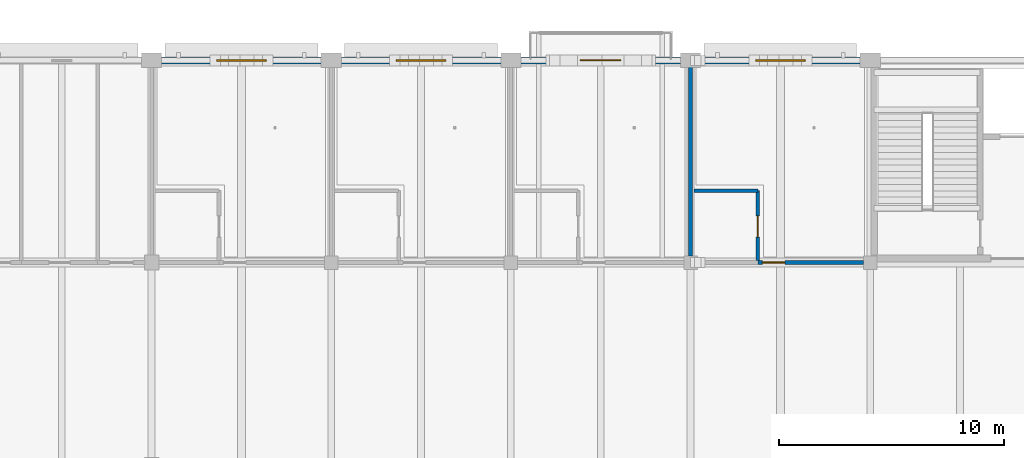
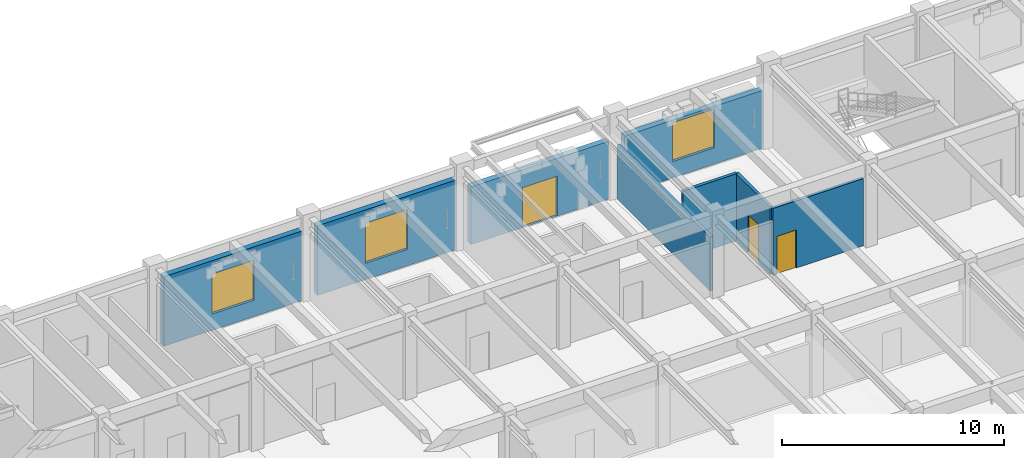
# One storey, part 111 of 144: 8 walls, 3 doors, 3 windows, 6 openings.
"""IFC4 building model written with IfcOpenShell, lengths in metres."""

from ifc_helpers import new_model, si_unit, direction, frame, frame_2d, origin, place, context, subcontext, project, spatial, rectangle, extrude, material, layer, layer_set, type_object, element, fill, save


model = new_model("IFC4")

# Units and contexts
model_context = context("Model", 3, precision=1e-05, world=origin(), true_north=direction((0.0, 1.0)))
body_context = subcontext(model_context, "Body", "Model", "MODEL_VIEW")
ifc_project = project(units=[si_unit("LENGTHUNIT", "METRE"), si_unit("AREAUNIT", "SQUARE_METRE"), si_unit("VOLUMEUNIT", "CUBIC_METRE"), si_unit("PLANEANGLEUNIT", "RADIAN"), si_unit("MASSUNIT", "GRAM", prefix="KILO")], contexts=[model_context])

# Site, building, storey
site_placement = place(None, origin())
site = spatial("IfcSite", under=ifc_project, at=site_placement, CompositionType="ELEMENT")
building_placement = place(site_placement, origin())
building = spatial("IfcBuilding", under=site, at=building_placement, Name="Varnabhumi Central Station", CompositionType="ELEMENT")
storey_placement = place(building_placement, frame((0.0, 0.0, 4.800048828125)))
storey = spatial("IfcBuildingStorey", under=building, at=storey_placement, Name="L01", CompositionType="ELEMENT", Elevation=4.800048828125)

# Wall, opening, window
ifc_material_1 = material(Name="Autoclaved aerated blockwork masonry", Category="masonry")
ifc_layer_1 = layer(ifc_material_1, 0.300048828125, Name="Autoclaved aerated blockwork masonry", Category="masonry")
ifc_layer_set_1 = layer_set([ifc_layer_1], Name="Autoclaved aerated blockwork masonry")
wall_type_1 = type_object("IfcWallType", Name="WAL-EXT-STUCCO-300", PredefinedType="SOLIDWALL", material=ifc_layer_set_1)
wall_1_placement = place(storey_placement, frame((96.39990234375, 116.0, 0.0), z_axis=(0.0, 0.0, 1.0), x_axis=(1.0, 0.0, 0.0)))
wall_1 = element("IfcWall", 1, at=wall_1_placement, inside=storey, type_object=wall_type_1, Name="North Boulevard Wall L01-13", PredefinedType="SOLIDWALL", context=body_context, shape_type="SweptSolid", body=[
    extrude(rectangle(XDim=7.2001953125, YDim=0.300048828125, at=frame_2d((3.60009765625, 0.0))), origin(), (0.0, 0.0, 1.0), 3.83984375),
])
opening_1_placement = place(wall_1_placement, frame((2.5, 0.0, 0.89990234375)))
opening_1 = element("IfcOpeningElement", 2, at=opening_1_placement, cuts=wall_1, Name="Opening W-03", PredefinedType="OPENING", context=body_context, shape_type="SweptSolid", body=[
    extrude(rectangle(XDim=2.199951171875, YDim=2.199951171875, at=frame_2d((1.10009765625, 1.10009765625))), frame((0.0, 0.159912109375, 0.0), z_axis=(0.0, -1.0, 0.0), x_axis=(1.0, 0.0, 0.0)), (0.0, 0.0, 1.0), 0.320068359375),
])
ifc_material_2 = material(Name="Laminated low-E double glazing", Category="glass")
window_type = type_object("IfcWindowType", Name="WIN-PIER-2200x2200", PartitioningType="DOUBLE_PANEL_VERTICAL", PredefinedType="WINDOW", material=ifc_material_2)
window_1_placement = place(opening_1_placement, origin())
window_1 = element("IfcWindow", 3, at=window_1_placement, inside=storey, type_object=window_type, Name="North Facade Window L01-13", OverallHeight=2.199951171875, OverallWidth=2.199951171875, PartitioningType="SINGLE_PANEL", PredefinedType="WINDOW", context=body_context, shape_type="SweptSolid", body=[
    extrude(rectangle(XDim=2.199951171875, YDim=2.199951171875, at=frame_2d((1.10009765625, 1.10009765625))), frame((0.0, 0.030029296875, 0.0), z_axis=(0.0, -1.0, 0.0), x_axis=(1.0, 0.0, 0.0)), (0.0, 0.0, 1.0), 0.06005859375),
])
fill(opening_1, window_1)

wall_2_placement = place(storey_placement, frame((104.39990234375, 116.0, 0.0), z_axis=(0.0, 0.0, 1.0), x_axis=(1.0, 0.0, 0.0)))
wall_2 = element("IfcWall", 4, at=wall_2_placement, inside=storey, type_object=wall_type_1, Name="North Boulevard Wall L01-14", PredefinedType="SOLIDWALL", context=body_context, shape_type="SweptSolid", body=[
    extrude(rectangle(XDim=7.2001953125, YDim=0.300048828125, at=frame_2d((3.60009765625, 0.0))), origin(), (0.0, 0.0, 1.0), 3.83984375),
])
opening_2_placement = place(wall_2_placement, frame((2.5, 0.0, 0.89990234375)))
opening_2 = element("IfcOpeningElement", 5, at=opening_2_placement, cuts=wall_2, Name="Opening W-03", PredefinedType="OPENING", context=body_context, shape_type="SweptSolid", body=[
    extrude(rectangle(XDim=2.199951171875, YDim=2.199951171875, at=frame_2d((1.10009765625, 1.10009765625))), frame((0.0, 0.159912109375, 0.0), z_axis=(0.0, -1.0, 0.0), x_axis=(1.0, 0.0, 0.0)), (0.0, 0.0, 1.0), 0.320068359375),
])
window_2_placement = place(opening_2_placement, origin())
window_2 = element("IfcWindow", 6, at=window_2_placement, inside=storey, type_object=window_type, Name="North Facade Window L01-14", OverallHeight=2.199951171875, OverallWidth=2.199951171875, PartitioningType="SINGLE_PANEL", PredefinedType="WINDOW", context=body_context, shape_type="SweptSolid", body=[
    extrude(rectangle(XDim=2.199951171875, YDim=2.199951171875, at=frame_2d((1.10009765625, 1.10009765625))), frame((0.0, 0.030029296875, 0.0), z_axis=(0.0, -1.0, 0.0), x_axis=(1.0, 0.0, 0.0)), (0.0, 0.0, 1.0), 0.06005859375),
])
fill(opening_2, window_2)

# Wall, opening, door
wall_3_placement = place(storey_placement, frame((112.39990234375, 116.0, 0.0), z_axis=(0.0, 0.0, 1.0), x_axis=(1.0, 0.0, 0.0)))
wall_3 = element("IfcWall", 7, at=wall_3_placement, inside=storey, type_object=wall_type_1, Name="North Boulevard Wall L01-15", PredefinedType="SOLIDWALL", context=body_context, shape_type="SweptSolid", body=[
    extrude(rectangle(XDim=7.2001953125, YDim=0.300048828125, at=frame_2d((3.60009765625, 0.0))), origin(), (0.0, 0.0, 1.0), 3.179931640625),
])
opening_3_placement = place(wall_3_placement, frame((2.699951171875, 0.0, 0.0)))
opening_3 = element("IfcOpeningElement", 8, at=opening_3_placement, cuts=wall_3, Name="Opening ED-4", PredefinedType="OPENING", context=body_context, shape_type="SweptSolid", body=[
    extrude(rectangle(XDim=1.800048828125, YDim=2.199951171875, at=frame_2d((0.89990234375, 1.10009765625))), frame((0.0, 0.159912109375, 0.0), z_axis=(0.0, -1.0, 0.0), x_axis=(1.0, 0.0, 0.0)), (0.0, 0.0, 1.0), 0.320068359375),
])
ifc_material_3 = material(Name="Anodised aluminium 6063-T6", Category="aluminium")
door_type_1 = type_object("IfcDoorType", Name="DR-EXT-AZOTEA-1800", OperationType="NOTDEFINED", PredefinedType="DOOR", material=ifc_material_3)
door_1_placement = place(opening_3_placement, origin())
door_1 = element("IfcDoor", 9, at=door_1_placement, inside=storey, type_object=door_type_1, Name="North Boulevard Balcony French Door L01-15", OperationType="DOUBLE_DOOR_SINGLE_SWING", OverallHeight=2.199951171875, OverallWidth=1.800048828125, PredefinedType="DOOR", context=body_context, shape_type="SweptSolid", body=[
    extrude(rectangle(XDim=1.800048828125, YDim=2.199951171875, at=frame_2d((0.89990234375, 1.10009765625))), frame((0.0, 0.02490234375, 0.0), z_axis=(0.0, -1.0, 0.0), x_axis=(1.0, 0.0, 0.0)), (0.0, 0.0, 1.0), 0.050048828125),
])
fill(opening_3, door_1)

# Wall, opening, window
wall_4_placement = place(storey_placement, frame((120.39990234375, 116.0, 0.0), z_axis=(0.0, 0.0, 1.0), x_axis=(1.0, 0.0, 0.0)))
wall_4 = element("IfcWall", 10, at=wall_4_placement, inside=storey, type_object=wall_type_1, Name="North Boulevard Wall L01-16", PredefinedType="SOLIDWALL", context=body_context, shape_type="SweptSolid", body=[
    extrude(rectangle(XDim=7.2001953125, YDim=0.300048828125, at=frame_2d((3.60009765625, 0.0))), origin(), (0.0, 0.0, 1.0), 3.179931640625),
])
opening_4_placement = place(wall_4_placement, frame((2.5, 0.0, 0.89990234375)))
opening_4 = element("IfcOpeningElement", 11, at=opening_4_placement, cuts=wall_4, Name="Opening W-03", PredefinedType="OPENING", context=body_context, shape_type="SweptSolid", body=[
    extrude(rectangle(XDim=2.199951171875, YDim=2.139892578125, at=frame_2d((1.10009765625, 1.06982421875))), frame((0.0, 0.159912109375, 0.0), z_axis=(0.0, -1.0, 0.0), x_axis=(1.0, 0.0, 0.0)), (0.0, 0.0, 1.0), 0.320068359375),
])
window_3_placement = place(opening_4_placement, origin())
window_3 = element("IfcWindow", 12, at=window_3_placement, inside=storey, type_object=window_type, Name="North Facade Window L01-16", OverallHeight=2.139892578125, OverallWidth=2.199951171875, PartitioningType="SINGLE_PANEL", PredefinedType="WINDOW", context=body_context, shape_type="SweptSolid", body=[
    extrude(rectangle(XDim=2.199951171875, YDim=2.139892578125, at=frame_2d((1.10009765625, 1.06982421875))), frame((0.0, 0.030029296875, 0.0), z_axis=(0.0, -1.0, 0.0), x_axis=(1.0, 0.0, 0.0)), (0.0, 0.0, 1.0), 0.06005859375),
])
fill(opening_4, window_3)

# Wall
ifc_layer_2 = layer(ifc_material_1, 0.159912109375, Name="Autoclaved aerated blockwork masonry", Category="masonry")
ifc_layer_set_2 = layer_set([ifc_layer_2], Name="Autoclaved aerated blockwork masonry")
wall_type_2 = type_object("IfcWallType", Name="WAL-PART-AAC-160", PredefinedType="PARTITIONING", material=ifc_layer_set_2)
wall_5_placement = place(storey_placement, frame((120.0, 107.300048828125, 0.0), z_axis=(0.0, 0.0, 1.0), x_axis=(0.0, 1.0, 0.0)))
element("IfcWall", 13, at=wall_5_placement, inside=storey, type_object=wall_type_2, Name="Passenger Retiring Room 103 W Partition 1", PredefinedType="PARTITIONING", context=body_context, shape_type="SweptSolid", body=[
    extrude(rectangle(XDim=8.39990234375, YDim=0.159912109375, at=frame_2d((4.199951171875, 0.0))), origin(), (0.0, 0.0, 1.0), 2.97998046875),
])

# Wall, opening, door
wall_6_placement = place(storey_placement, frame((123.0, 107.0, 0.0), z_axis=(0.0, 0.0, 1.0), x_axis=(1.0, 0.0, 0.0)))
wall_6 = element("IfcWall", 14, at=wall_6_placement, inside=storey, type_object=wall_type_2, Name="Passenger Retiring Room 104 Corridor Partition 1", PredefinedType="PARTITIONING", context=body_context, shape_type="SweptSolid", body=[
    extrude(rectangle(XDim=4.699951171875, YDim=0.159912109375, at=frame_2d((2.35009765625, 0.0))), origin(), (0.0, 0.0, 1.0), 3.699951171875),
])
opening_5_placement = place(wall_6_placement, frame((0.199951171875, 0.0, 0.0)))
opening_5 = element("IfcOpeningElement", 15, at=opening_5_placement, cuts=wall_6, Name="Opening D-01", PredefinedType="OPENING", context=body_context, shape_type="SweptSolid", body=[
    extrude(rectangle(XDim=1.0, YDim=2.10009765625, at=frame_2d((0.5, 1.050048828125))), frame((0.0, 0.08984375, 0.0), z_axis=(0.0, -1.0, 0.0), x_axis=(1.0, 0.0, 0.0)), (0.0, 0.0, 1.0), 0.179931640625),
])
ifc_material_4 = material(Name="Intumescent-treated hardwood timber", Category="wood")
door_type_2 = type_object("IfcDoorType", Name="DR-ROOM-1000", OperationType="NOTDEFINED", PredefinedType="DOOR", material=ifc_material_4)
door_2_placement = place(opening_5_placement, frame((1.0, 0.0, 0.0), z_axis=(0.0, 0.0, 1.0), x_axis=(-1.0, 0.0, 0.0)))
door_2 = element("IfcDoor", 16, at=door_2_placement, inside=storey, type_object=door_type_2, Name="Passenger Retiring Room 104 Door 1", OperationType="SINGLE_SWING_LEFT", OverallHeight=2.10009765625, OverallWidth=1.0, PredefinedType="DOOR", context=body_context, shape_type="SweptSolid", body=[
    extrude(rectangle(XDim=1.0, YDim=2.10009765625, at=frame_2d((0.5, 1.050048828125))), frame((0.0, 0.02490234375, 0.0), z_axis=(0.0, -1.0, 0.0), x_axis=(1.0, 0.0, 0.0)), (0.0, 0.0, 1.0), 0.050048828125),
])
fill(opening_5, door_2)

# Wall
wall_7_placement = place(storey_placement, frame((120.14990234375, 110.199951171875, 0.0), z_axis=(0.0, 0.0, 1.0), x_axis=(1.0, 0.0, 0.0)))
element("IfcWall", 17, at=wall_7_placement, inside=storey, type_object=wall_type_2, Name="En-suite Bathroom 104 North Wall", PredefinedType="PARTITIONING", context=body_context, shape_type="SweptSolid", body=[
    extrude(rectangle(XDim=2.85009765625, YDim=0.159912109375, at=frame_2d((1.425048828125, 0.0))), origin(), (0.0, 0.0, 1.0), 3.699951171875),
])

# Wall, opening, door
wall_8_placement = place(storey_placement, frame((123.0, 107.080078125, 0.0), z_axis=(0.0, 0.0, 1.0), x_axis=(0.0, 1.0, 0.0)))
wall_8 = element("IfcWall", 18, at=wall_8_placement, inside=storey, type_object=wall_type_2, Name="En-suite Bathroom 104 East Door Wall", PredefinedType="PARTITIONING", context=body_context, shape_type="SweptSolid", body=[
    extrude(rectangle(XDim=3.119873046875, YDim=0.159912109375, at=frame_2d((1.56005859375, 0.0))), origin(), (0.0, 0.0, 1.0), 3.699951171875),
])
opening_6_placement = place(wall_8_placement, frame((1.050048828125, 0.0, 0.0)))
opening_6 = element("IfcOpeningElement", 19, at=opening_6_placement, cuts=wall_8, Name="Opening D-04", PredefinedType="OPENING", context=body_context, shape_type="SweptSolid", body=[
    extrude(rectangle(XDim=0.949951171875, YDim=2.10009765625, at=frame_2d((0.47509765625, 1.050048828125))), frame((0.0, 0.08984375, 0.0), z_axis=(0.0, -1.0, 0.0), x_axis=(1.0, 0.0, 0.0)), (0.0, 0.0, 1.0), 0.179931640625),
])
door_type_3 = type_object("IfcDoorType", Name="DR-WC-950", OperationType="NOTDEFINED", PredefinedType="DOOR", material=ifc_material_4)
door_3_placement = place(opening_6_placement, origin())
door_3 = element("IfcDoor", 20, at=door_3_placement, inside=storey, type_object=door_type_3, Name="En-suite Bathroom 104 En-suite Door", OperationType="SINGLE_SWING_RIGHT", OverallHeight=2.10009765625, OverallWidth=0.949951171875, PredefinedType="DOOR", context=body_context, shape_type="SweptSolid", body=[
    extrude(rectangle(XDim=0.949951171875, YDim=2.10009765625, at=frame_2d((0.47509765625, 1.050048828125))), frame((0.0, 0.02490234375, 0.0), z_axis=(0.0, -1.0, 0.0), x_axis=(1.0, 0.0, 0.0)), (0.0, 0.0, 1.0), 0.050048828125),
])
fill(opening_6, door_3)

save(model, "model.ifc")
